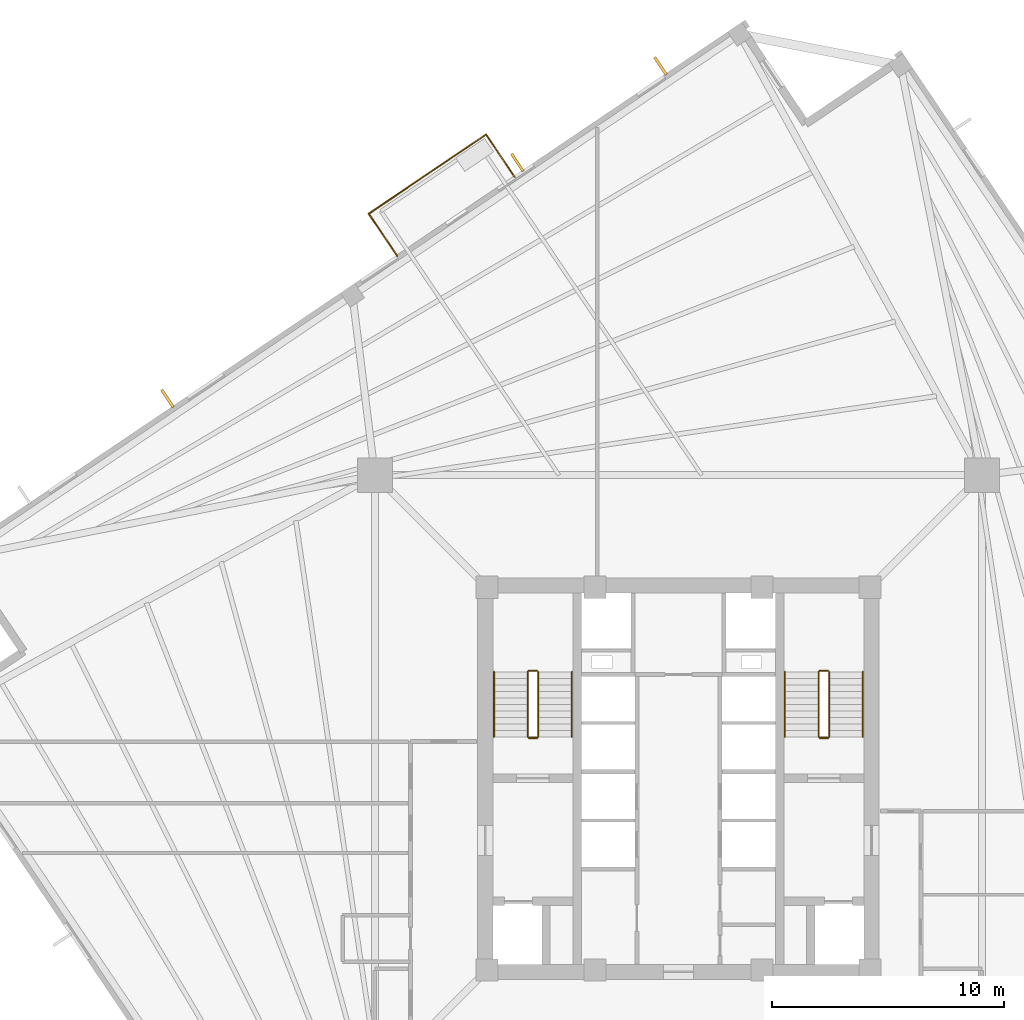
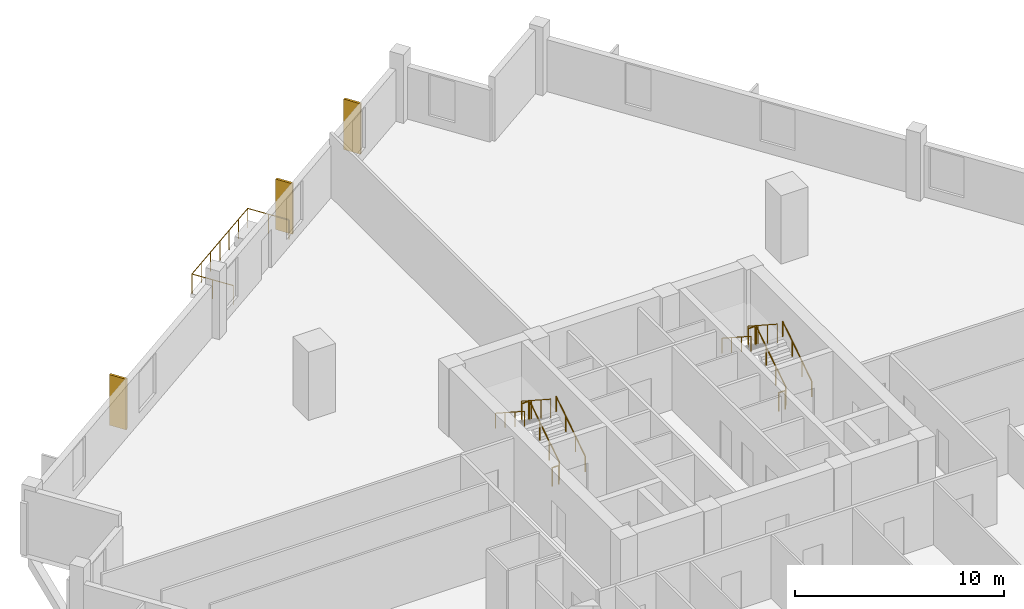
# One storey, part 8 of 9: 15 railings, 3 coverings.
"""IFC4 building model written with IfcOpenShell, lengths in metres."""

from ifc_helpers import new_model, si_unit, direction, frame, origin, origin_2d, place, context, subcontext, project, spatial, rectangle, circle, extrude, source, transform, mapped, material, layer, layer_set, type_object, element, save


model = new_model("IFC4")

# Units and contexts
model_context = context("Model", 3, precision=1e-05, world=origin(), true_north=direction((0.0, 1.0)))
body_context = subcontext(model_context, "Body", "Model", "MODEL_VIEW")
ifc_project = project(units=[si_unit("LENGTHUNIT", "METRE"), si_unit("AREAUNIT", "SQUARE_METRE"), si_unit("VOLUMEUNIT", "CUBIC_METRE"), si_unit("PLANEANGLEUNIT", "RADIAN"), si_unit("MASSUNIT", "GRAM", prefix="KILO"), si_unit("THERMODYNAMICTEMPERATUREUNIT", "KELVIN")], contexts=[model_context])

# Site, building, storey
site_placement = place(None, origin())
site = spatial("IfcSite", under=ifc_project, at=site_placement, CompositionType="ELEMENT")
building_placement = place(site_placement, origin())
building = spatial("IfcBuilding", under=site, at=building_placement, Name="Kosmvard Interchange Tower", CompositionType="ELEMENT")
storey_placement = place(building_placement, frame((0.0, 0.0, 164.39990234375)))
storey = spatial("IfcBuildingStorey", under=building, at=storey_placement, Name="L39", CompositionType="ELEMENT", Elevation=164.39990234375)

# Coverings
ifc_material_1 = material(Name="Architectural anodised aluminium", Category="aluminium")
ifc_layer = layer(ifc_material_1, 0.1201171875, Name="Architectural anodised aluminium")
ifc_layer_set = layer_set([ifc_layer], Name="Architectural anodised aluminium")
covering_type = type_object("IfcCoveringType", Name="Rotating Vertical Sun-Breaker Fin 900x120 Aluminium", PredefinedType="CLADDING", material=ifc_layer_set)
shared_shape_1 = source(origin(), body_context, "Body", "SweptSolid", [
    extrude(rectangle(XDim=0.89990234375, YDim=0.1201171875, at=origin_2d()), origin(), (0.0, 0.0, 1.0), 2.9599609375),
])
for number, where, z_axis, x_axis, name in (
    (1, (-0.774169921875, 30.718994140625, 0.0400390625), (0.0, 0.0, 1.0), (-0.549314536351, 0.835615665335, 0.0), "L39 Rotating Vertical Sun-Breaker Fin 09"),
    (2, (-6.943115234375, 26.557861328125, 0.0400390625), (0.0, 0.0, 1.0), (-0.549314536351, 0.835615665335, 0.0), "L39 Rotating Vertical Sun-Breaker Fin 10"),
    (3, (-22.02294921875, 16.38623046875, 0.0400390625), (0.0, 0.0, 1.0), (-0.549314536351, 0.835615665335, 0.0), "L39 Rotating Vertical Sun-Breaker Fin 11"),
):
    element("IfcCovering", number, at=place(storey_placement, frame(where, z_axis=z_axis, x_axis=x_axis)), inside=storey, type_object=covering_type, Name=name, PredefinedType="CLADDING", context=body_context, shape_type="MappedRepresentation", body=[
        mapped(shared_shape_1, transform((0.0, 0.0, 0.0), scale=1.0)),
    ])

# Railings
ifc_material_2 = material(Name="Steel S355", Category="steel")
railing_type_1 = type_object("IfcRailingType", Name="Observation & Balcony Glass-Infill Balustrade 1150", PredefinedType="BALUSTRADE", material=ifc_material_2)
shared_shape_2 = source(origin(), body_context, "Body", "SweptSolid", [
    extrude(circle(Radius=0.02392578125, at=origin_2d()), frame((0.0, 0.0, 1.1259765625), z_axis=(0.559173597279, -0.829050594418, 0.0), x_axis=(0.829050594418, 0.559173597279, 0.0)), (0.0, 0.0, 1.0), 2.2001953125),
    extrude(circle(Radius=0.02099609375, at=origin_2d()), origin(), (0.0, 0.0, 1.0), 1.101806640625),
    extrude(circle(Radius=0.02099609375, at=origin_2d()), frame((0.615234375, -0.912109375, 0.0)), (0.0, 0.0, 1.0), 1.101806640625),
    extrude(circle(Radius=0.02099609375, at=origin_2d()), frame((1.230224609375, -1.823974609375, 0.0)), (0.0, 0.0, 1.0), 1.101806640625),
])
railing_1_placement = place(storey_placement, frame((-13.34765625, 24.348876953125, 0.0)))
element("IfcRailing", 4, at=railing_1_placement, inside=storey, type_object=railing_type_1, Name="L39 Outdoor Terrace Guard BAL-L39-N-C", PredefinedType="BALUSTRADE", context=body_context, shape_type="MappedRepresentation", body=[
    mapped(shared_shape_2, transform((0.0, 0.0, 0.0), scale=1.0)),
])
shared_shape_3 = source(origin(), body_context, "Body", "SweptSolid", [
    extrude(circle(Radius=0.02392578125, at=origin_2d()), frame((0.0, 0.0, 1.1259765625), z_axis=(-0.559173597279, 0.829050594418, 0.0), x_axis=(-0.829050594418, -0.559173597279, 0.0)), (0.0, 0.0, 1.0), 2.2001953125),
    extrude(circle(Radius=0.02099609375, at=origin_2d()), origin(), (0.0, 0.0, 1.0), 1.101806640625),
    extrude(circle(Radius=0.02099609375, at=origin_2d()), frame((-0.615234375, 0.912109375, 0.0)), (0.0, 0.0, 1.0), 1.101806640625),
    extrude(circle(Radius=0.02099609375, at=origin_2d()), frame((-1.230224609375, 1.823974609375, 0.0)), (0.0, 0.0, 1.0), 1.101806640625),
])
railing_2_placement = place(storey_placement, frame((-7.060302734375, 25.93603515625, 0.0)))
element("IfcRailing", 5, at=railing_2_placement, inside=storey, type_object=railing_type_1, Name="L39 Outdoor Terrace Guard BAL-L39-N-A", PredefinedType="BALUSTRADE", context=body_context, shape_type="MappedRepresentation", body=[
    mapped(shared_shape_3, transform((0.0, 0.0, 0.0), scale=1.0)),
])
shared_shape_4 = source(origin(), body_context, "Body", "SweptSolid", [
    extrude(circle(Radius=0.02392578125, at=origin_2d()), frame((0.0, 0.0, 1.1259765625), z_axis=(-0.829033294248, -0.55919924627, 0.0), x_axis=(0.55919924627, -0.829033294248, 0.0)), (0.0, 0.0, 1.0), 6.10009765625),
    extrude(circle(Radius=0.02099609375, at=origin_2d()), origin(), (0.0, 0.0, 1.0), 1.101806640625),
    extrude(circle(Radius=0.02099609375, at=origin_2d()), frame((-0.8427734375, -0.568603515625, 0.0)), (0.0, 0.0, 1.0), 1.101806640625),
    extrude(circle(Radius=0.02099609375, at=origin_2d()), frame((-1.685791015625, -1.136962890625, 0.0)), (0.0, 0.0, 1.0), 1.101806640625),
    extrude(circle(Radius=0.02099609375, at=origin_2d()), frame((-2.528564453125, -1.70556640625, 0.0)), (0.0, 0.0, 1.0), 1.101806640625),
    extrude(circle(Radius=0.02099609375, at=origin_2d()), frame((-3.371337890625, -2.274169921875, 0.0)), (0.0, 0.0, 1.0), 1.101806640625),
    extrude(circle(Radius=0.02099609375, at=origin_2d()), frame((-4.21435546875, -2.842529296875, 0.0)), (0.0, 0.0, 1.0), 1.101806640625),
    extrude(circle(Radius=0.02099609375, at=origin_2d()), frame((-5.05712890625, -3.4111328125, 0.0)), (0.0, 0.0, 1.0), 1.101806640625),
])
railing_3_placement = place(storey_placement, frame((-8.29052734375, 27.760009765625, 0.0)))
element("IfcRailing", 6, at=railing_3_placement, inside=storey, type_object=railing_type_1, Name="L39 Outdoor Terrace Guard BAL-L39-N-B", PredefinedType="BALUSTRADE", context=body_context, shape_type="MappedRepresentation", body=[
    mapped(shared_shape_4, transform((0.0, 0.0, 0.0), scale=1.0)),
])
railing_type_2 = type_object("IfcRailingType", Name="Stair & Terrace Safety Guardrail 1100 Steel", PredefinedType="GUARDRAIL", material=ifc_material_2)
shared_shape_5 = source(origin(), body_context, "Body", "SweptSolid", [
    extrude(circle(Radius=0.02392578125, at=origin_2d()), frame((0.0, 0.0, 1.076171875), z_axis=(-1.0, 0.0, 0.0), x_axis=(0.0, -1.0, 0.0)), (0.0, 0.0, 1.0), 0.35986328125),
    extrude(circle(Radius=0.02099609375, at=origin_2d()), origin(), (0.0, 0.0, 1.0), 1.052001953125),
    extrude(circle(Radius=0.02099609375, at=origin_2d()), frame((-0.35986328125, 0.0, 0.0)), (0.0, 0.0, 1.0), 1.052001953125),
])
for number, where, name in (
    (7, (-6.090087890625, 4.64990234375, 2.0), "L39 ST-1 stair guard 2"),
    (8, (-6.090087890625, 1.75, 0.0), "L39 ST-1 stair guard 4"),
    (9, (6.449951171875, 4.64990234375, 2.0), "L39 ST-2 stair guard 2"),
    (10, (6.449951171875, 1.75, 0.0), "L39 ST-2 stair guard 4"),
):
    element("IfcRailing", number, at=place(storey_placement, frame(where)), inside=storey, type_object=railing_type_2, Name=name, PredefinedType="GUARDRAIL", context=body_context, shape_type="MappedRepresentation", body=[
        mapped(shared_shape_5, transform((0.0, 0.0, 0.0), scale=1.0)),
    ])
shared_shape_6 = source(origin(), body_context, "Body", "SweptSolid", [
    extrude(circle(Radius=0.02392578125, at=origin_2d()), frame((0.0, 0.0, 1.076171875), z_axis=(0.0, 0.838705829183, 0.544584733623), x_axis=(-1.0, 0.0, 0.0)), (0.0, 0.0, 1.0), 3.338623046875),
    extrude(circle(Radius=0.02099609375, at=origin_2d()), origin(), (0.0, 0.0, 1.0), 1.052001953125),
    extrude(circle(Radius=0.02099609375, at=origin_2d()), frame((0.0, 0.933349609375, 0.60595703125)), (0.0, 0.0, 1.0), 1.052001953125),
    extrude(circle(Radius=0.02099609375, at=origin_2d()), frame((0.0, 1.86669921875, 1.212158203125)), (0.0, 0.0, 1.0), 1.052001953125),
    extrude(circle(Radius=0.02099609375, at=origin_2d()), frame((0.0, 2.800048828125, 1.818115234375)), (0.0, 0.0, 1.0), 1.052001953125),
])
for number, where, name in (
    (11, (-6.0400390625, 1.800048828125, 0.181884765625), "L39 ST-1 stair guard 1"),
    (12, (6.5, 1.800048828125, 0.181884765625), "L39 ST-2 stair guard 1"),
):
    element("IfcRailing", number, at=place(storey_placement, frame(where)), inside=storey, type_object=railing_type_2, Name=name, PredefinedType="GUARDRAIL", context=body_context, shape_type="MappedRepresentation", body=[
        mapped(shared_shape_6, transform((0.0, 0.0, 0.0), scale=1.0)),
    ])
shared_shape_7 = source(origin(), body_context, "Body", "SweptSolid", [
    extrude(circle(Radius=0.02392578125, at=origin_2d()), frame((0.0, 0.0, 1.076171875), z_axis=(0.0, -0.838705829183, 0.544584733623), x_axis=(1.0, 0.0, 0.0)), (0.0, 0.0, 1.0), 3.338623046875),
    extrude(circle(Radius=0.02099609375, at=origin_2d()), origin(), (0.0, 0.0, 1.0), 1.052001953125),
    extrude(circle(Radius=0.02099609375, at=origin_2d()), frame((0.0, -0.933349609375, 0.60595703125)), (0.0, 0.0, 1.0), 1.052001953125),
    extrude(circle(Radius=0.02099609375, at=origin_2d()), frame((0.0, -1.86669921875, 1.212158203125)), (0.0, 0.0, 1.0), 1.052001953125),
    extrude(circle(Radius=0.02099609375, at=origin_2d()), frame((0.0, -2.800048828125, 1.818115234375)), (0.0, 0.0, 1.0), 1.052001953125),
])
for number, where, name in (
    (13, (-6.5, 4.60009765625, 2.181884765625), "L39 ST-1 stair guard 3"),
    (14, (6.0400390625, 4.60009765625, 2.181884765625), "L39 ST-2 stair guard 3"),
):
    element("IfcRailing", number, at=place(storey_placement, frame(where)), inside=storey, type_object=railing_type_2, Name=name, PredefinedType="GUARDRAIL", context=body_context, shape_type="MappedRepresentation", body=[
        mapped(shared_shape_7, transform((0.0, 0.0, 0.0), scale=1.0)),
    ])
railing_type_3 = type_object("IfcRailingType", Name="Wall-Mounted Stair Handrail 900 Steel", PredefinedType="HANDRAIL", material=ifc_material_2)
shared_shape_8 = source(origin(), body_context, "Body", "SweptSolid", [
    extrude(circle(Radius=0.02392578125, at=origin_2d()), frame((0.0, 0.0, 0.8759765625), z_axis=(0.0, 0.838705829183, 0.544584733623), x_axis=(-1.0, 0.0, 0.0)), (0.0, 0.0, 1.0), 3.338623046875),
    extrude(circle(Radius=0.02099609375, at=origin_2d()), origin(), (0.0, 0.0, 1.0), 0.851806640625),
    extrude(circle(Radius=0.02099609375, at=origin_2d()), frame((0.0, 0.933349609375, 0.60595703125)), (0.0, 0.0, 1.0), 0.851806640625),
    extrude(circle(Radius=0.02099609375, at=origin_2d()), frame((0.0, 1.86669921875, 1.212158203125)), (0.0, 0.0, 1.0), 0.851806640625),
    extrude(circle(Radius=0.02099609375, at=origin_2d()), frame((0.0, 2.800048828125, 1.818115234375)), (0.0, 0.0, 1.0), 0.851806640625),
])
for number, where, name in (
    (15, (-4.590087890625, 1.800048828125, 0.181884765625), "L39 ST-1 stair handrail 1"),
    (16, (7.949951171875, 1.800048828125, 0.181884765625), "L39 ST-2 stair handrail 1"),
):
    element("IfcRailing", number, at=place(storey_placement, frame(where)), inside=storey, type_object=railing_type_3, Name=name, PredefinedType="HANDRAIL", context=body_context, shape_type="MappedRepresentation", body=[
        mapped(shared_shape_8, transform((0.0, 0.0, 0.0), scale=1.0)),
    ])
shared_shape_9 = source(origin(), body_context, "Body", "SweptSolid", [
    extrude(circle(Radius=0.02392578125, at=origin_2d()), frame((0.0, 0.0, 0.8759765625), z_axis=(0.0, -0.838705829183, 0.544584733623), x_axis=(1.0, 0.0, 0.0)), (0.0, 0.0, 1.0), 3.338623046875),
    extrude(circle(Radius=0.02099609375, at=origin_2d()), origin(), (0.0, 0.0, 1.0), 0.851806640625),
    extrude(circle(Radius=0.02099609375, at=origin_2d()), frame((0.0, -0.933349609375, 0.60595703125)), (0.0, 0.0, 1.0), 0.851806640625),
    extrude(circle(Radius=0.02099609375, at=origin_2d()), frame((0.0, -1.86669921875, 1.212158203125)), (0.0, 0.0, 1.0), 0.851806640625),
    extrude(circle(Radius=0.02099609375, at=origin_2d()), frame((0.0, -2.800048828125, 1.818115234375)), (0.0, 0.0, 1.0), 0.851806640625),
])
for number, where, name in (
    (17, (-7.949951171875, 4.60009765625, 2.181884765625), "L39 ST-1 stair handrail 2"),
    (18, (4.590087890625, 4.60009765625, 2.181884765625), "L39 ST-2 stair handrail 2"),
):
    element("IfcRailing", number, at=place(storey_placement, frame(where)), inside=storey, type_object=railing_type_3, Name=name, PredefinedType="HANDRAIL", context=body_context, shape_type="MappedRepresentation", body=[
        mapped(shared_shape_9, transform((0.0, 0.0, 0.0), scale=1.0)),
    ])

save(model, "model.ifc")
